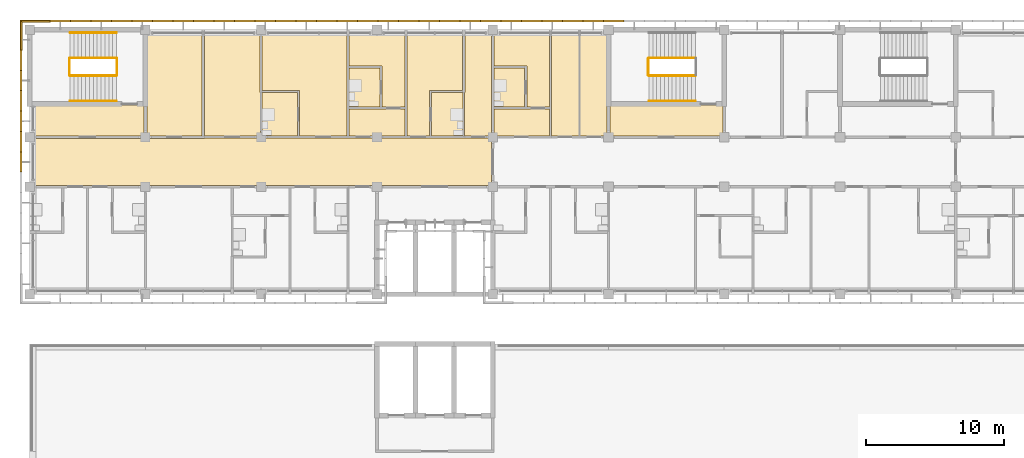
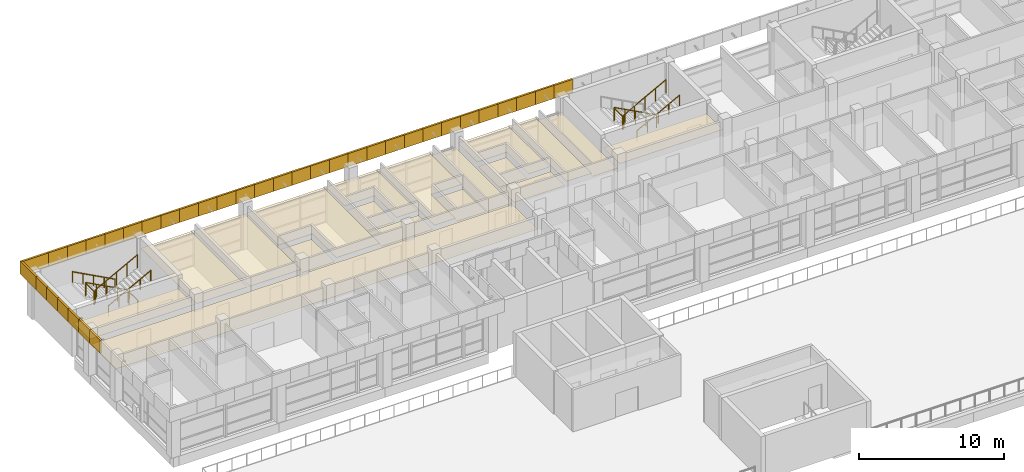
# One storey, part 40 of 46: 54 coverings, 10 railings.
"""IFC4 building model written with IfcOpenShell, lengths in metres."""

from ifc_helpers import new_model, si_unit, direction, frame, origin, origin_2d, place, context, subcontext, project, spatial, polyline, circle, outline, extrude, material, layer, layer_set, type_object, element, save


model = new_model("IFC4")

# Units and contexts
model_context = context("Model", 3, precision=1e-05, world=origin(), true_north=direction((0.0, 1.0)))
body_context = subcontext(model_context, "Body", "Model", "MODEL_VIEW")
ifc_project = project(units=[si_unit("LENGTHUNIT", "METRE"), si_unit("AREAUNIT", "SQUARE_METRE"), si_unit("VOLUMEUNIT", "CUBIC_METRE"), si_unit("PLANEANGLEUNIT", "RADIAN"), si_unit("MASSUNIT", "GRAM", prefix="KILO")], contexts=[model_context])

# Site, building, storey
site_placement = place(None, origin())
site = spatial("IfcSite", under=ifc_project, at=site_placement, CompositionType="ELEMENT")
building_placement = place(site_placement, origin())
building = spatial("IfcBuilding", under=site, at=building_placement, Name="Bougainvillea Quay General Hospital", CompositionType="ELEMENT")
storey_placement = place(building_placement, frame((0.0, 0.0, 28.800048828125)))
storey = spatial("IfcBuildingStorey", under=building, at=storey_placement, Name="L06", CompositionType="ELEMENT", Elevation=28.800048828125)

# Coverings
ifc_material_1 = material(Name="Powder-coated aluminium fascia, white", Category="aluminium")
ifc_layer_1 = layer(ifc_material_1, 0.14990234375)
ifc_layer_set_1 = layer_set([ifc_layer_1], Name="Powder-coated aluminium fascia, white")
covering_type_1 = type_object("IfcCoveringType", Name="Aluminium fascia band white 150x1100", PredefinedType="CLADDING", material=ifc_layer_set_1)
covering_1_placement = place(storey_placement, frame((85.137451171875, 160.14990234375, 3.349853515625), z_axis=(0.0, 0.0, 1.0), x_axis=(-1.0, 0.0, 0.0)))
element("IfcCovering", 1, at=covering_1_placement, inside=storey, type_object=covering_type_1, Name="Fascia band white e0 68", PredefinedType="CLADDING", context=body_context, shape_type="SweptSolid", body=[
    extrude(outline(polyline([(0.0, 0.0), (1.487548828125, 0.0), (1.487548828125, -0.150146484375), (0.0, -0.150146484375), (0.0, 0.0)])), origin(), (0.0, 0.0, 1.0), 1.10009765625),
])
covering_2_placement = place(storey_placement, frame((83.64990234375, 160.14990234375, 3.349853515625), z_axis=(0.0, 0.0, 1.0), x_axis=(-1.0, 0.0, 0.0)))
element("IfcCovering", 2, at=covering_2_placement, inside=storey, type_object=covering_type_1, Name="Fascia band white e0 69", PredefinedType="CLADDING", context=body_context, shape_type="SweptSolid", body=[
    extrude(outline(polyline([(0.0, 0.0), (1.4873046875, 0.0), (1.4873046875, -0.150146484375), (0.0, -0.150146484375), (0.0, 0.0)])), origin(), (0.0, 0.0, 1.0), 1.10009765625),
])
for number, where, z_axis, x_axis, name in (
    (3, (82.16259765625, 160.14990234375, 3.349853515625), (0.0, 0.0, 1.0), (-1.0, 0.0, 0.0), "Fascia band white e0 70"),
    (4, (80.675048828125, 160.14990234375, 3.349853515625), (0.0, 0.0, 1.0), (-1.0, 0.0, 0.0), "Fascia band white e0 71"),
    (5, (79.1875, 160.14990234375, 3.349853515625), (0.0, 0.0, 1.0), (-1.0, 0.0, 0.0), "Fascia band white e0 72"),
    (6, (77.699951171875, 160.14990234375, 3.349853515625), (0.0, 0.0, 1.0), (-1.0, 0.0, 0.0), "Fascia band white e0 73"),
):
    element("IfcCovering", number, at=place(storey_placement, frame(where, z_axis=z_axis, x_axis=x_axis)), inside=storey, type_object=covering_type_1, Name=name, PredefinedType="CLADDING", context=body_context, shape_type="SweptSolid", body=[
        extrude(outline(polyline([(0.0, 0.0), (1.487548828125, 0.0), (1.487548828125, -0.150146484375), (0.0, -0.150146484375), (0.0, 0.0)])), origin(), (0.0, 0.0, 1.0), 1.10009765625),
    ])
covering_3_placement = place(storey_placement, frame((76.21240234375, 160.14990234375, 3.349853515625), z_axis=(0.0, 0.0, 1.0), x_axis=(-1.0, 0.0, 0.0)))
element("IfcCovering", 7, at=covering_3_placement, inside=storey, type_object=covering_type_1, Name="Fascia band white e0 74", PredefinedType="CLADDING", context=body_context, shape_type="SweptSolid", body=[
    extrude(outline(polyline([(0.0, 0.0), (1.4873046875, 0.0), (1.4873046875, -0.150146484375), (0.0, -0.150146484375), (0.0, 0.0)])), origin(), (0.0, 0.0, 1.0), 1.10009765625),
])
for number, where, z_axis, x_axis, name in (
    (8, (74.72509765625, 160.14990234375, 3.349853515625), (0.0, 0.0, 1.0), (-1.0, 0.0, 0.0), "Fascia band white e0 75"),
    (9, (73.237548828125, 160.14990234375, 3.349853515625), (0.0, 0.0, 1.0), (-1.0, 0.0, 0.0), "Fascia band white e0 76"),
    (10, (71.75, 160.14990234375, 3.349853515625), (0.0, 0.0, 1.0), (-1.0, 0.0, 0.0), "Fascia band white e0 77"),
    (11, (70.262451171875, 160.14990234375, 3.349853515625), (0.0, 0.0, 1.0), (-1.0, 0.0, 0.0), "Fascia band white e0 78"),
):
    element("IfcCovering", number, at=place(storey_placement, frame(where, z_axis=z_axis, x_axis=x_axis)), inside=storey, type_object=covering_type_1, Name=name, PredefinedType="CLADDING", context=body_context, shape_type="SweptSolid", body=[
        extrude(outline(polyline([(0.0, 0.0), (1.487548828125, 0.0), (1.487548828125, -0.150146484375), (0.0, -0.150146484375), (0.0, 0.0)])), origin(), (0.0, 0.0, 1.0), 1.10009765625),
    ])
covering_4_placement = place(storey_placement, frame((68.77490234375, 160.14990234375, 3.349853515625), z_axis=(0.0, 0.0, 1.0), x_axis=(-1.0, 0.0, 0.0)))
element("IfcCovering", 12, at=covering_4_placement, inside=storey, type_object=covering_type_1, Name="Fascia band white e0 79", PredefinedType="CLADDING", context=body_context, shape_type="SweptSolid", body=[
    extrude(outline(polyline([(0.0, 0.0), (1.4873046875, 0.0), (1.4873046875, -0.150146484375), (0.0, -0.150146484375), (0.0, 0.0)])), origin(), (0.0, 0.0, 1.0), 1.10009765625),
])
for number, where, z_axis, x_axis, name in (
    (13, (67.28759765625, 160.14990234375, 3.349853515625), (0.0, 0.0, 1.0), (-1.0, 0.0, 0.0), "Fascia band white e0 80"),
    (14, (65.800048828125, 160.14990234375, 3.349853515625), (0.0, 0.0, 1.0), (-1.0, 0.0, 0.0), "Fascia band white e0 81"),
    (15, (64.3125, 160.14990234375, 3.349853515625), (0.0, 0.0, 1.0), (-1.0, 0.0, 0.0), "Fascia band white e0 82"),
    (16, (62.824951171875, 160.14990234375, 3.349853515625), (0.0, 0.0, 1.0), (-1.0, 0.0, 0.0), "Fascia band white e0 83"),
):
    element("IfcCovering", number, at=place(storey_placement, frame(where, z_axis=z_axis, x_axis=x_axis)), inside=storey, type_object=covering_type_1, Name=name, PredefinedType="CLADDING", context=body_context, shape_type="SweptSolid", body=[
        extrude(outline(polyline([(0.0, 0.0), (1.487548828125, 0.0), (1.487548828125, -0.150146484375), (0.0, -0.150146484375), (0.0, 0.0)])), origin(), (0.0, 0.0, 1.0), 1.10009765625),
    ])
covering_5_placement = place(storey_placement, frame((61.33740234375, 160.14990234375, 3.349853515625), z_axis=(0.0, 0.0, 1.0), x_axis=(-1.0, 0.0, 0.0)))
element("IfcCovering", 17, at=covering_5_placement, inside=storey, type_object=covering_type_1, Name="Fascia band white e0 84", PredefinedType="CLADDING", context=body_context, shape_type="SweptSolid", body=[
    extrude(outline(polyline([(0.0, 0.0), (1.4873046875, 0.0), (1.4873046875, -0.150146484375), (0.0, -0.150146484375), (0.0, 0.0)])), origin(), (0.0, 0.0, 1.0), 1.10009765625),
])
for number, where, z_axis, x_axis, name in (
    (18, (59.85009765625, 160.14990234375, 3.349853515625), (0.0, 0.0, 1.0), (-1.0, 0.0, 0.0), "Fascia band white e0 85"),
    (19, (58.362548828125, 160.14990234375, 3.349853515625), (0.0, 0.0, 1.0), (-1.0, 0.0, 0.0), "Fascia band white e0 86"),
    (20, (56.875, 160.14990234375, 3.349853515625), (0.0, 0.0, 1.0), (-1.0, 0.0, 0.0), "Fascia band white e0 87"),
    (21, (55.387451171875, 160.14990234375, 3.349853515625), (0.0, 0.0, 1.0), (-1.0, 0.0, 0.0), "Fascia band white e0 88"),
):
    element("IfcCovering", number, at=place(storey_placement, frame(where, z_axis=z_axis, x_axis=x_axis)), inside=storey, type_object=covering_type_1, Name=name, PredefinedType="CLADDING", context=body_context, shape_type="SweptSolid", body=[
        extrude(outline(polyline([(0.0, 0.0), (1.487548828125, 0.0), (1.487548828125, -0.150146484375), (0.0, -0.150146484375), (0.0, 0.0)])), origin(), (0.0, 0.0, 1.0), 1.10009765625),
    ])
covering_6_placement = place(storey_placement, frame((53.89990234375, 160.14990234375, 3.349853515625), z_axis=(0.0, 0.0, 1.0), x_axis=(-1.0, 0.0, 0.0)))
element("IfcCovering", 22, at=covering_6_placement, inside=storey, type_object=covering_type_1, Name="Fascia band white e0 89", PredefinedType="CLADDING", context=body_context, shape_type="SweptSolid", body=[
    extrude(outline(polyline([(0.0, 0.0), (1.4873046875, 0.0), (1.4873046875, -0.150146484375), (0.0, -0.150146484375), (0.0, 0.0)])), origin(), (0.0, 0.0, 1.0), 1.10009765625),
])
for number, where, z_axis, x_axis, name in (
    (23, (52.41259765625, 160.14990234375, 3.349853515625), (0.0, 0.0, 1.0), (-1.0, 0.0, 0.0), "Fascia band white e0 90"),
    (24, (50.925048828125, 160.14990234375, 3.349853515625), (0.0, 0.0, 1.0), (-1.0, 0.0, 0.0), "Fascia band white e0 91"),
    (25, (49.4375, 160.14990234375, 3.349853515625), (0.0, 0.0, 1.0), (-1.0, 0.0, 0.0), "Fascia band white e0 92"),
    (26, (47.949951171875, 160.14990234375, 3.349853515625), (0.0, 0.0, 1.0), (-1.0, 0.0, 0.0), "Fascia band white e0 93"),
):
    element("IfcCovering", number, at=place(storey_placement, frame(where, z_axis=z_axis, x_axis=x_axis)), inside=storey, type_object=covering_type_1, Name=name, PredefinedType="CLADDING", context=body_context, shape_type="SweptSolid", body=[
        extrude(outline(polyline([(0.0, 0.0), (1.487548828125, 0.0), (1.487548828125, -0.150146484375), (0.0, -0.150146484375), (0.0, 0.0)])), origin(), (0.0, 0.0, 1.0), 1.10009765625),
    ])
covering_7_placement = place(storey_placement, frame((46.46240234375, 160.14990234375, 3.349853515625), z_axis=(0.0, 0.0, 1.0), x_axis=(-1.0, 0.0, 0.0)))
element("IfcCovering", 27, at=covering_7_placement, inside=storey, type_object=covering_type_1, Name="Fascia band white e0 94", PredefinedType="CLADDING", context=body_context, shape_type="SweptSolid", body=[
    extrude(outline(polyline([(0.0, 0.0), (1.4873046875, 0.0), (1.4873046875, -0.150146484375), (0.0, -0.150146484375), (0.0, 0.0)])), origin(), (0.0, 0.0, 1.0), 1.10009765625),
])
covering_8_placement = place(storey_placement, frame((44.97509765625, 160.14990234375, 3.349853515625), z_axis=(0.0, 0.0, 1.0), x_axis=(-1.0, 0.0, 0.0)))
element("IfcCovering", 28, at=covering_8_placement, inside=storey, type_object=covering_type_1, Name="Fascia band white e0 95", PredefinedType="CLADDING", context=body_context, shape_type="SweptSolid", body=[
    extrude(outline(polyline([(0.0, 0.0), (1.487548828125, 0.0), (1.487548828125, -0.150146484375), (0.0, -0.150146484375), (0.0, 0.0)])), origin(), (0.0, 0.0, 1.0), 1.10009765625),
])
covering_9_placement = place(storey_placement, frame((43.487548828125, 160.14990234375, 3.349853515625), z_axis=(0.0, 0.0, 1.0), x_axis=(-1.0, 0.0, 0.0)))
element("IfcCovering", 29, at=covering_9_placement, inside=storey, type_object=covering_type_1, Name="Fascia band white e0 96", PredefinedType="CLADDING", context=body_context, shape_type="SweptSolid", body=[
    extrude(outline(polyline([(0.0, 0.0), (2.03759765625, 0.0), (2.1875, -0.150146484375), (0.0, -0.150146484375), (0.0, 0.0)])), origin(), (0.0, 0.0, 1.0), 1.10009765625),
])
covering_10_placement = place(storey_placement, frame((41.449951171875, 160.14990234375, 3.349853515625), z_axis=(0.0, 0.0, 1.0), x_axis=(0.0, -1.0, 0.0)))
element("IfcCovering", 30, at=covering_10_placement, inside=storey, type_object=covering_type_1, Name="Fascia band white e0 97", PredefinedType="CLADDING", context=body_context, shape_type="SweptSolid", body=[
    extrude(outline(polyline([(0.0, 0.0), (2.02685546875, 0.0), (2.02685546875, -0.14990234375), (-0.150146484375, -0.14990234375), (0.0, 0.0)])), origin(), (0.0, 0.0, 1.0), 1.10009765625),
])
covering_11_placement = place(storey_placement, frame((41.449951171875, 158.123046875, 3.349853515625), z_axis=(0.0, 0.0, 1.0), x_axis=(0.0, -1.0, 0.0)))
element("IfcCovering", 31, at=covering_11_placement, inside=storey, type_object=covering_type_1, Name="Fascia band white e0 98", PredefinedType="CLADDING", context=body_context, shape_type="SweptSolid", body=[
    extrude(outline(polyline([(0.0, 0.0), (1.476806640625, 0.0), (1.476806640625, -0.14990234375), (0.0, -0.14990234375), (0.0, 0.0)])), origin(), (0.0, 0.0, 1.0), 1.10009765625),
])
covering_12_placement = place(storey_placement, frame((41.449951171875, 156.646240234375, 3.349853515625), z_axis=(0.0, 0.0, 1.0), x_axis=(0.0, -1.0, 0.0)))
element("IfcCovering", 32, at=covering_12_placement, inside=storey, type_object=covering_type_1, Name="Fascia band white e0 99", PredefinedType="CLADDING", context=body_context, shape_type="SweptSolid", body=[
    extrude(outline(polyline([(0.0, 0.0), (1.47705078125, 0.0), (1.47705078125, -0.14990234375), (0.0, -0.14990234375), (0.0, 0.0)])), origin(), (0.0, 0.0, 1.0), 1.10009765625),
])
covering_13_placement = place(storey_placement, frame((41.449951171875, 155.169189453125, 3.349853515625), z_axis=(0.0, 0.0, 1.0), x_axis=(0.0, -1.0, 0.0)))
element("IfcCovering", 33, at=covering_13_placement, inside=storey, type_object=covering_type_1, Name="Fascia band white e0 100", PredefinedType="CLADDING", context=body_context, shape_type="SweptSolid", body=[
    extrude(outline(polyline([(0.0, 0.0), (1.476806640625, 0.0), (1.476806640625, -0.14990234375), (0.0, -0.14990234375), (0.0, 0.0)])), origin(), (0.0, 0.0, 1.0), 1.10009765625),
])
covering_14_placement = place(storey_placement, frame((41.449951171875, 153.6923828125, 3.349853515625), z_axis=(0.0, 0.0, 1.0), x_axis=(0.0, -1.0, 0.0)))
element("IfcCovering", 34, at=covering_14_placement, inside=storey, type_object=covering_type_1, Name="Fascia band white e0 101", PredefinedType="CLADDING", context=body_context, shape_type="SweptSolid", body=[
    extrude(outline(polyline([(0.0, 0.0), (1.47705078125, 0.0), (1.47705078125, -0.14990234375), (0.0, -0.14990234375), (0.0, 0.0)])), origin(), (0.0, 0.0, 1.0), 1.10009765625),
])
covering_15_placement = place(storey_placement, frame((41.449951171875, 152.21533203125, 3.349853515625), z_axis=(0.0, 0.0, 1.0), x_axis=(0.0, -1.0, 0.0)))
element("IfcCovering", 35, at=covering_15_placement, inside=storey, type_object=covering_type_1, Name="Fascia band white e0 102", PredefinedType="CLADDING", context=body_context, shape_type="SweptSolid", body=[
    extrude(outline(polyline([(0.0, 0.0), (1.476806640625, 0.0), (1.476806640625, -0.14990234375), (0.0, -0.14990234375), (0.0, 0.0)])), origin(), (0.0, 0.0, 1.0), 1.10009765625),
])
covering_16_placement = place(storey_placement, frame((41.449951171875, 150.738525390625, 3.349853515625), z_axis=(0.0, 0.0, 1.0), x_axis=(0.0, -1.0, 0.0)))
element("IfcCovering", 36, at=covering_16_placement, inside=storey, type_object=covering_type_1, Name="Fascia band white e0 103", PredefinedType="CLADDING", context=body_context, shape_type="SweptSolid", body=[
    extrude(outline(polyline([(0.0, 0.0), (1.47705078125, 0.0), (1.47705078125, -0.14990234375), (0.0, -0.14990234375), (0.0, 0.0)])), origin(), (0.0, 0.0, 1.0), 1.10009765625),
])

# Railings
ifc_material_2 = material(Name="Stainless steel 304 balustrade", Category="steel")
railing_type_1 = type_object("IfcRailingType", Name="Stair guard 1100", PredefinedType="GUARDRAIL", material=ifc_material_2)
railing_1_placement = place(storey_placement, frame((48.300048828125, 157.550048828125, 0.14990234375)))
element("IfcRailing", 37, at=railing_1_placement, inside=storey, type_object=railing_type_1, Name="L06 ST-A1 stair guard 1", PredefinedType="GUARDRAIL", context=body_context, shape_type="SweptSolid", body=[
    extrude(circle(Radius=0.02392578125, at=origin_2d()), frame((0.0, 0.0, 1.076171875), z_axis=(-0.881480922165, 0.0, 0.47221963519), x_axis=(0.0, -1.0, 0.0)), (0.0, 0.0, 1.0), 3.811767578125),
    extrude(circle(Radius=0.02099609375, at=origin_2d()), origin(), (0.0, 0.0, 1.0), 1.052001953125),
    extrude(circle(Radius=0.02099609375, at=origin_2d()), frame((-0.840087890625, 0.0, 0.449951171875)), (0.0, 0.0, 1.0), 1.052001953125),
    extrude(circle(Radius=0.02099609375, at=origin_2d()), frame((-1.68017578125, 0.0, 0.89990234375)), (0.0, 0.0, 1.0), 1.052001953125),
    extrude(circle(Radius=0.02099609375, at=origin_2d()), frame((-2.52001953125, 0.0, 1.35009765625)), (0.0, 0.0, 1.0), 1.052001953125),
    extrude(circle(Radius=0.02099609375, at=origin_2d()), frame((-3.360107421875, 0.0, 1.800048828125)), (0.0, 0.0, 1.0), 1.052001953125),
])
railing_2_placement = place(storey_placement, frame((44.889892578125, 157.5, 1.949951171875)))
element("IfcRailing", 38, at=railing_2_placement, inside=storey, type_object=railing_type_1, Name="L06 ST-A1 stair guard 2", PredefinedType="GUARDRAIL", context=body_context, shape_type="SweptSolid", body=[
    extrude(circle(Radius=0.02392578125, at=origin_2d()), frame((0.0, 0.0, 1.076171875), z_axis=(0.0, -1.0, 0.0), x_axis=(1.0, 0.0, 0.0)), (0.0, 0.0, 1.0), 1.199951171875),
    extrude(circle(Radius=0.02099609375, at=origin_2d()), origin(), (0.0, 0.0, 1.0), 1.052001953125),
    extrude(circle(Radius=0.02099609375, at=origin_2d()), frame((0.0, -1.199951171875, 0.0)), (0.0, 0.0, 1.0), 1.052001953125),
])
railing_3_placement = place(storey_placement, frame((44.93994140625, 156.25, 2.099853515625)))
element("IfcRailing", 39, at=railing_3_placement, inside=storey, type_object=railing_type_1, Name="L06 ST-A1 stair guard 3", PredefinedType="GUARDRAIL", context=body_context, shape_type="SweptSolid", body=[
    extrude(circle(Radius=0.02392578125, at=origin_2d()), frame((0.0, 0.0, 1.076171875), z_axis=(0.881480922165, 0.0, 0.47221963519), x_axis=(0.0, 1.0, 0.0)), (0.0, 0.0, 1.0), 3.811767578125),
    extrude(circle(Radius=0.02099609375, at=origin_2d()), origin(), (0.0, 0.0, 1.0), 1.052001953125),
    extrude(circle(Radius=0.02099609375, at=origin_2d()), frame((0.840087890625, 0.0, 0.449951171875)), (0.0, 0.0, 1.0), 1.052001953125),
    extrude(circle(Radius=0.02099609375, at=origin_2d()), frame((1.68017578125, 0.0, 0.89990234375)), (0.0, 0.0, 1.0), 1.052001953125),
    extrude(circle(Radius=0.02099609375, at=origin_2d()), frame((2.52001953125, 0.0, 1.35009765625)), (0.0, 0.0, 1.0), 1.052001953125),
    extrude(circle(Radius=0.02099609375, at=origin_2d()), frame((3.360107421875, 0.0, 1.800048828125)), (0.0, 0.0, 1.0), 1.052001953125),
])
railing_4_placement = place(storey_placement, frame((48.35009765625, 157.5, 0.0)))
element("IfcRailing", 40, at=railing_4_placement, inside=storey, type_object=railing_type_1, Name="L06 ST-A1 stair guard 4", PredefinedType="GUARDRAIL", context=body_context, shape_type="SweptSolid", body=[
    extrude(circle(Radius=0.02392578125, at=origin_2d()), frame((0.0, 0.0, 1.076171875), z_axis=(0.0, -1.0, 0.0), x_axis=(1.0, 0.0, 0.0)), (0.0, 0.0, 1.0), 1.199951171875),
    extrude(circle(Radius=0.02099609375, at=origin_2d()), origin(), (0.0, 0.0, 1.0), 1.052001953125),
    extrude(circle(Radius=0.02099609375, at=origin_2d()), frame((0.0, -1.199951171875, 0.0)), (0.0, 0.0, 1.0), 1.052001953125),
])
railing_5_placement = place(storey_placement, frame((90.300048828125, 157.550048828125, 0.14990234375)))
element("IfcRailing", 41, at=railing_5_placement, inside=storey, type_object=railing_type_1, Name="L06 ST-A2 stair guard 1", PredefinedType="GUARDRAIL", context=body_context, shape_type="SweptSolid", body=[
    extrude(circle(Radius=0.02392578125, at=origin_2d()), frame((0.0, 0.0, 1.076171875), z_axis=(-0.881480922165, 0.0, 0.47221963519), x_axis=(0.0, -1.0, 0.0)), (0.0, 0.0, 1.0), 3.811767578125),
    extrude(circle(Radius=0.02099609375, at=origin_2d()), origin(), (0.0, 0.0, 1.0), 1.052001953125),
    extrude(circle(Radius=0.02099609375, at=origin_2d()), frame((-0.840087890625, 0.0, 0.449951171875)), (0.0, 0.0, 1.0), 1.052001953125),
    extrude(circle(Radius=0.02099609375, at=origin_2d()), frame((-1.68017578125, 0.0, 0.89990234375)), (0.0, 0.0, 1.0), 1.052001953125),
    extrude(circle(Radius=0.02099609375, at=origin_2d()), frame((-2.52001953125, 0.0, 1.35009765625)), (0.0, 0.0, 1.0), 1.052001953125),
    extrude(circle(Radius=0.02099609375, at=origin_2d()), frame((-3.360107421875, 0.0, 1.800048828125)), (0.0, 0.0, 1.0), 1.052001953125),
])
railing_6_placement = place(storey_placement, frame((86.889892578125, 157.5, 1.949951171875)))
element("IfcRailing", 42, at=railing_6_placement, inside=storey, type_object=railing_type_1, Name="L06 ST-A2 stair guard 2", PredefinedType="GUARDRAIL", context=body_context, shape_type="SweptSolid", body=[
    extrude(circle(Radius=0.02392578125, at=origin_2d()), frame((0.0, 0.0, 1.076171875), z_axis=(0.0, -1.0, 0.0), x_axis=(1.0, 0.0, 0.0)), (0.0, 0.0, 1.0), 1.199951171875),
    extrude(circle(Radius=0.02099609375, at=origin_2d()), origin(), (0.0, 0.0, 1.0), 1.052001953125),
    extrude(circle(Radius=0.02099609375, at=origin_2d()), frame((0.0, -1.199951171875, 0.0)), (0.0, 0.0, 1.0), 1.052001953125),
])
railing_7_placement = place(storey_placement, frame((86.93994140625, 156.25, 2.099853515625)))
element("IfcRailing", 43, at=railing_7_placement, inside=storey, type_object=railing_type_1, Name="L06 ST-A2 stair guard 3", PredefinedType="GUARDRAIL", context=body_context, shape_type="SweptSolid", body=[
    extrude(circle(Radius=0.02392578125, at=origin_2d()), frame((0.0, 0.0, 1.076171875), z_axis=(0.881480922165, 0.0, 0.47221963519), x_axis=(0.0, 1.0, 0.0)), (0.0, 0.0, 1.0), 3.811767578125),
    extrude(circle(Radius=0.02099609375, at=origin_2d()), origin(), (0.0, 0.0, 1.0), 1.052001953125),
    extrude(circle(Radius=0.02099609375, at=origin_2d()), frame((0.840087890625, 0.0, 0.449951171875)), (0.0, 0.0, 1.0), 1.052001953125),
    extrude(circle(Radius=0.02099609375, at=origin_2d()), frame((1.68017578125, 0.0, 0.89990234375)), (0.0, 0.0, 1.0), 1.052001953125),
    extrude(circle(Radius=0.02099609375, at=origin_2d()), frame((2.52001953125, 0.0, 1.35009765625)), (0.0, 0.0, 1.0), 1.052001953125),
    extrude(circle(Radius=0.02099609375, at=origin_2d()), frame((3.360107421875, 0.0, 1.800048828125)), (0.0, 0.0, 1.0), 1.052001953125),
])
ifc_material_3 = material(Name="Stainless steel 304 handrail", Category="steel")
railing_type_2 = type_object("IfcRailingType", Name="Stair handrail 900", PredefinedType="HANDRAIL", material=ifc_material_3)
railing_8_placement = place(storey_placement, frame((48.300048828125, 159.375, 0.14990234375)))
element("IfcRailing", 44, at=railing_8_placement, inside=storey, type_object=railing_type_2, Name="L06 ST-A1 stair handrail 1", PredefinedType="HANDRAIL", context=body_context, shape_type="SweptSolid", body=[
    extrude(circle(Radius=0.02392578125, at=origin_2d()), frame((0.0, 0.0, 0.8759765625), z_axis=(-0.881480922165, 0.0, 0.47221963519), x_axis=(0.0, -1.0, 0.0)), (0.0, 0.0, 1.0), 3.811767578125),
    extrude(circle(Radius=0.02099609375, at=origin_2d()), origin(), (0.0, 0.0, 1.0), 0.851806640625),
    extrude(circle(Radius=0.02099609375, at=origin_2d()), frame((-0.840087890625, 0.0, 0.449951171875)), (0.0, 0.0, 1.0), 0.851806640625),
    extrude(circle(Radius=0.02099609375, at=origin_2d()), frame((-1.68017578125, 0.0, 0.89990234375)), (0.0, 0.0, 1.0), 0.851806640625),
    extrude(circle(Radius=0.02099609375, at=origin_2d()), frame((-2.52001953125, 0.0, 1.35009765625)), (0.0, 0.0, 1.0), 0.851806640625),
    extrude(circle(Radius=0.02099609375, at=origin_2d()), frame((-3.360107421875, 0.0, 1.800048828125)), (0.0, 0.0, 1.0), 0.851806640625),
])
for number, where, name in (
    (45, (44.93994140625, 154.425048828125, 2.099853515625), "L06 ST-A1 stair handrail 2"),
    (46, (86.93994140625, 154.425048828125, 2.099853515625), "L06 ST-A2 stair handrail 2"),
):
    element("IfcRailing", number, at=place(storey_placement, frame(where)), inside=storey, type_object=railing_type_2, Name=name, PredefinedType="HANDRAIL", context=body_context, shape_type="SweptSolid", body=[
        extrude(circle(Radius=0.02392578125, at=origin_2d()), frame((0.0, 0.0, 0.8759765625), z_axis=(0.881480922165, 0.0, 0.47221963519), x_axis=(0.0, 1.0, 0.0)), (0.0, 0.0, 1.0), 3.811767578125),
        extrude(circle(Radius=0.02099609375, at=origin_2d()), origin(), (0.0, 0.0, 1.0), 0.851806640625),
        extrude(circle(Radius=0.02099609375, at=origin_2d()), frame((0.840087890625, 0.0, 0.449951171875)), (0.0, 0.0, 1.0), 0.851806640625),
        extrude(circle(Radius=0.02099609375, at=origin_2d()), frame((1.68017578125, 0.0, 0.89990234375)), (0.0, 0.0, 1.0), 0.851806640625),
        extrude(circle(Radius=0.02099609375, at=origin_2d()), frame((2.52001953125, 0.0, 1.35009765625)), (0.0, 0.0, 1.0), 0.851806640625),
        extrude(circle(Radius=0.02099609375, at=origin_2d()), frame((3.360107421875, 0.0, 1.800048828125)), (0.0, 0.0, 1.0), 0.851806640625),
    ])

# Coverings
ifc_material_4 = material(Name="Mineral fibre ceiling tile")
ifc_layer_2 = layer(ifc_material_4, 0.030029296875)
ifc_layer_set_2 = layer_set([ifc_layer_2], Name="Mineral fibre ceiling tile")
covering_type_2 = type_object("IfcCoveringType", Name="Suspended ceiling mineral fibre tile", PredefinedType="CEILING", material=ifc_layer_set_2)
covering_17_placement = place(storey_placement, frame((0.0, 0.0, 2.699951171875)))
element("IfcCovering", 47, at=covering_17_placement, inside=storey, type_object=covering_type_2, Name="Ceiling Refuge Room RR-A1-L06", PredefinedType="CEILING", context=body_context, shape_type="SweptSolid", body=[
    extrude(outline(polyline([(50.5, 159.60009765625), (50.5, 151.89990234375), (54.5, 151.89990234375), (54.5, 159.60009765625), (50.5, 159.60009765625)])), origin(), (0.0, 0.0, 1.0), 0.030029296875),
])
covering_18_placement = place(storey_placement, frame((0.0, 0.0, 2.699951171875)))
element("IfcCovering", 48, at=covering_18_placement, inside=storey, type_object=covering_type_2, Name="Ceiling Smoke-proof Vestibule ST-A1", PredefinedType="CEILING", context=body_context, shape_type="SweptSolid", body=[
    extrude(outline(polyline([(42.0, 151.89990234375), (50.300048828125, 151.89990234375), (50.300048828125, 154.10009765625), (42.0, 154.10009765625), (42.0, 151.89990234375)])), origin(), (0.0, 0.0, 1.0), 0.030029296875),
])
covering_19_placement = place(storey_placement, frame((0.0, 0.0, 2.699951171875)))
element("IfcCovering", 49, at=covering_19_placement, inside=storey, type_object=covering_type_2, Name="Ceiling Smoke-proof Vestibule ST-A2", PredefinedType="CEILING", context=body_context, shape_type="SweptSolid", body=[
    extrude(outline(polyline([(92.300048828125, 151.89990234375), (92.300048828125, 154.10009765625), (84.10009765625, 154.10009765625), (84.10009765625, 151.89990234375), (92.300048828125, 151.89990234375)])), origin(), (0.0, 0.0, 1.0), 0.030029296875),
])
covering_20_placement = place(storey_placement, frame((0.0, 0.0, 2.699951171875)))
element("IfcCovering", 50, at=covering_20_placement, inside=storey, type_object=covering_type_2, Name="Ceiling Treatment and Clean Utility Room 06A07", PredefinedType="CEILING", context=body_context, shape_type="SweptSolid", body=[
    extrude(outline(polyline([(54.699951171875, 159.60009765625), (54.699951171875, 151.875), (58.75, 151.875), (58.75, 155.02490234375), (58.72509765625, 155.02490234375), (58.72509765625, 159.60009765625), (54.699951171875, 159.60009765625)])), origin(), (0.0, 0.0, 1.0), 0.030029296875),
])
covering_21_placement = place(storey_placement, frame((0.0, 0.0, 2.699951171875)))
element("IfcCovering", 51, at=covering_21_placement, inside=storey, type_object=covering_type_2, Name="Ceiling Two-bed Oncology Room 06A08", PredefinedType="CEILING", context=body_context, shape_type="SweptSolid", body=[
    extrude(outline(polyline([(58.875, 159.60009765625), (58.875, 155.175048828125), (61.574951171875, 155.175048828125), (61.574951171875, 151.875), (65.02490234375, 151.875), (65.02490234375, 159.60009765625), (58.875, 159.60009765625)])), origin(), (0.0, 0.0, 1.0), 0.030029296875),
])
covering_22_placement = place(storey_placement, frame((0.0, 0.0, 2.39990234375)))
element("IfcCovering", 52, at=covering_22_placement, inside=storey, type_object=covering_type_2, Name="Ceiling En-suite 06A08", PredefinedType="CEILING", context=body_context, shape_type="SweptSolid", body=[
    extrude(outline(polyline([(58.85009765625, 155.02490234375), (58.85009765625, 151.875), (61.425048828125, 151.875), (61.425048828125, 155.02490234375), (58.85009765625, 155.02490234375)])), origin(), (0.0, 0.0, 1.0), 0.030029296875),
])
covering_23_placement = place(storey_placement, frame((0.0, 0.0, 2.699951171875)))
element("IfcCovering", 53, at=covering_23_placement, inside=storey, type_object=covering_type_2, Name="Ceiling Protective Isolation Room 06A09", PredefinedType="CEILING", context=body_context, shape_type="SweptSolid", body=[
    extrude(outline(polyline([(65.175048828125, 159.60009765625), (65.175048828125, 156.97509765625), (67.574951171875, 156.97509765625), (67.574951171875, 153.97509765625), (69.22509765625, 153.97509765625), (69.22509765625, 159.60009765625), (65.175048828125, 159.60009765625)])), origin(), (0.0, 0.0, 1.0), 0.030029296875),
])
covering_24_placement = place(storey_placement, frame((0.0, 0.0, 2.39990234375)))
element("IfcCovering", 54, at=covering_24_placement, inside=storey, type_object=covering_type_2, Name="Ceiling Isolation Anteroom 06A09", PredefinedType="CEILING", context=body_context, shape_type="SweptSolid", body=[
    extrude(outline(polyline([(69.22509765625, 151.875), (69.22509765625, 153.824951171875), (65.175048828125, 153.824951171875), (65.175048828125, 151.875), (69.22509765625, 151.875)])), origin(), (0.0, 0.0, 1.0), 0.030029296875),
])
covering_25_placement = place(storey_placement, frame((0.0, 0.0, 2.39990234375)))
element("IfcCovering", 55, at=covering_25_placement, inside=storey, type_object=covering_type_2, Name="Ceiling En-suite 06A09", PredefinedType="CEILING", context=body_context, shape_type="SweptSolid", body=[
    extrude(outline(polyline([(65.175048828125, 156.824951171875), (65.175048828125, 153.97509765625), (67.425048828125, 153.97509765625), (67.425048828125, 156.824951171875), (65.175048828125, 156.824951171875)])), origin(), (0.0, 0.0, 1.0), 0.030029296875),
])
covering_26_placement = place(storey_placement, frame((0.0, 0.0, 2.699951171875)))
element("IfcCovering", 56, at=covering_26_placement, inside=storey, type_object=covering_type_2, Name="Ceiling Oncology Patient Room 06A10", PredefinedType="CEILING", context=body_context, shape_type="SweptSolid", body=[
    extrude(outline(polyline([(69.375, 159.60009765625), (69.375, 151.875), (71.02490234375, 151.875), (71.02490234375, 155.175048828125), (73.425048828125, 155.175048828125), (73.425048828125, 159.60009765625), (69.375, 159.60009765625)])), origin(), (0.0, 0.0, 1.0), 0.030029296875),
])
covering_27_placement = place(storey_placement, frame((0.0, 0.0, 2.39990234375)))
element("IfcCovering", 57, at=covering_27_placement, inside=storey, type_object=covering_type_2, Name="Ceiling En-suite 06A10", PredefinedType="CEILING", context=body_context, shape_type="SweptSolid", body=[
    extrude(outline(polyline([(71.175048828125, 151.875), (73.449951171875, 151.875), (73.449951171875, 155.02490234375), (71.175048828125, 155.02490234375), (71.175048828125, 151.875)])), origin(), (0.0, 0.0, 1.0), 0.030029296875),
])
covering_28_placement = place(storey_placement, frame((0.0, 0.0, 2.39990234375)))
element("IfcCovering", 58, at=covering_28_placement, inside=storey, type_object=covering_type_2, Name="Ceiling Cleaners' Store 06A11", PredefinedType="CEILING", context=body_context, shape_type="SweptSolid", body=[
    extrude(outline(polyline([(73.574951171875, 159.60009765625), (73.574951171875, 155.02490234375), (73.550048828125, 155.02490234375), (73.550048828125, 151.875), (75.5, 151.875), (75.5, 159.60009765625), (73.574951171875, 159.60009765625)])), origin(), (0.0, 0.0, 1.0), 0.030029296875),
])
covering_29_placement = place(storey_placement, frame((0.0, 0.0, 2.699951171875)))
element("IfcCovering", 59, at=covering_29_placement, inside=storey, type_object=covering_type_2, Name="Ceiling Protective Isolation Room 06A19", PredefinedType="CEILING", context=body_context, shape_type="SweptSolid", body=[
    extrude(outline(polyline([(75.699951171875, 159.60009765625), (75.699951171875, 156.97509765625), (78.074951171875, 156.97509765625), (78.074951171875, 153.97509765625), (79.72509765625, 153.97509765625), (79.72509765625, 159.60009765625), (75.699951171875, 159.60009765625)])), origin(), (0.0, 0.0, 1.0), 0.030029296875),
])
covering_30_placement = place(storey_placement, frame((0.0, 0.0, 2.39990234375)))
element("IfcCovering", 60, at=covering_30_placement, inside=storey, type_object=covering_type_2, Name="Ceiling Isolation Anteroom 06A19", PredefinedType="CEILING", context=body_context, shape_type="SweptSolid", body=[
    extrude(outline(polyline([(79.72509765625, 151.875), (79.72509765625, 153.824951171875), (75.699951171875, 153.824951171875), (75.699951171875, 151.875), (79.72509765625, 151.875)])), origin(), (0.0, 0.0, 1.0), 0.030029296875),
])
covering_31_placement = place(storey_placement, frame((0.0, 0.0, 2.39990234375)))
element("IfcCovering", 61, at=covering_31_placement, inside=storey, type_object=covering_type_2, Name="Ceiling En-suite 06A19", PredefinedType="CEILING", context=body_context, shape_type="SweptSolid", body=[
    extrude(outline(polyline([(77.925048828125, 156.824951171875), (75.699951171875, 156.824951171875), (75.699951171875, 153.97509765625), (77.925048828125, 153.97509765625), (77.925048828125, 156.824951171875)])), origin(), (0.0, 0.0, 1.0), 0.030029296875),
])
covering_32_placement = place(storey_placement, frame((0.0, 0.0, 2.699951171875)))
element("IfcCovering", 62, at=covering_32_placement, inside=storey, type_object=covering_type_2, Name="Ceiling Dirty Utility and Sluice Room 06A20", PredefinedType="CEILING", context=body_context, shape_type="SweptSolid", body=[
    extrude(outline(polyline([(79.875, 159.60009765625), (79.875, 151.875), (81.85009765625, 151.875), (81.85009765625, 159.60009765625), (79.875, 159.60009765625)])), origin(), (0.0, 0.0, 1.0), 0.030029296875),
])
covering_33_placement = place(storey_placement, frame((0.0, 0.0, 2.39990234375)))
element("IfcCovering", 63, at=covering_33_placement, inside=storey, type_object=covering_type_2, Name="Ceiling Cleaners' Store 06A21", PredefinedType="CEILING", context=body_context, shape_type="SweptSolid", body=[
    extrude(outline(polyline([(81.949951171875, 159.60009765625), (81.949951171875, 151.875), (83.89990234375, 151.875), (83.89990234375, 154.300048828125), (83.949951171875, 154.300048828125), (83.949951171875, 159.60009765625), (81.949951171875, 159.60009765625)])), origin(), (0.0, 0.0, 1.0), 0.030029296875),
])
covering_34_placement = place(storey_placement, frame((0.0, 0.0, 2.39990234375)))
element("IfcCovering", 64, at=covering_34_placement, inside=storey, type_object=covering_type_2, Name="Ceiling Ward Corridor A1", PredefinedType="CEILING", context=body_context, shape_type="SweptSolid", body=[
    extrude(outline(polyline([(42.0, 148.27490234375), (67.10009765625, 148.27490234375), (67.10009765625, 148.300048828125), (75.5, 148.300048828125), (75.5, 151.72509765625), (54.699951171875, 151.72509765625), (54.699951171875, 151.699951171875), (42.0, 151.699951171875), (42.0, 148.27490234375)])), origin(), (0.0, 0.0, 1.0), 0.030029296875),
])

save(model, "model.ifc")
